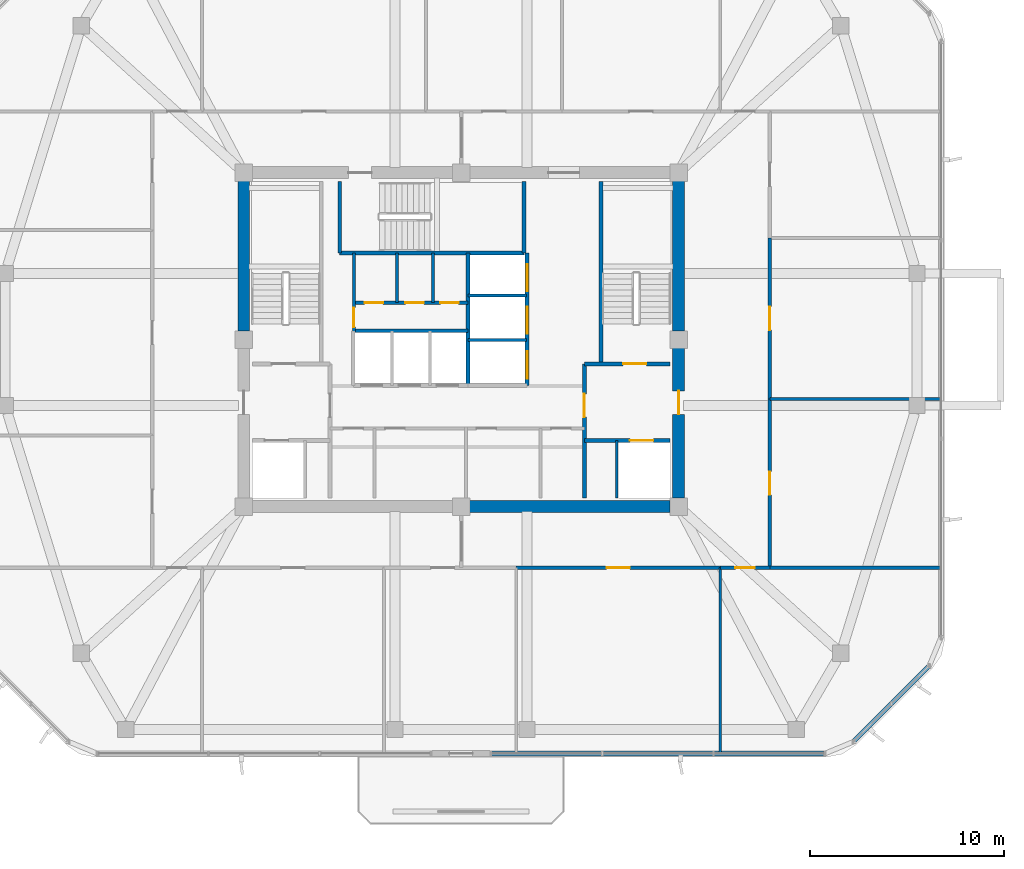
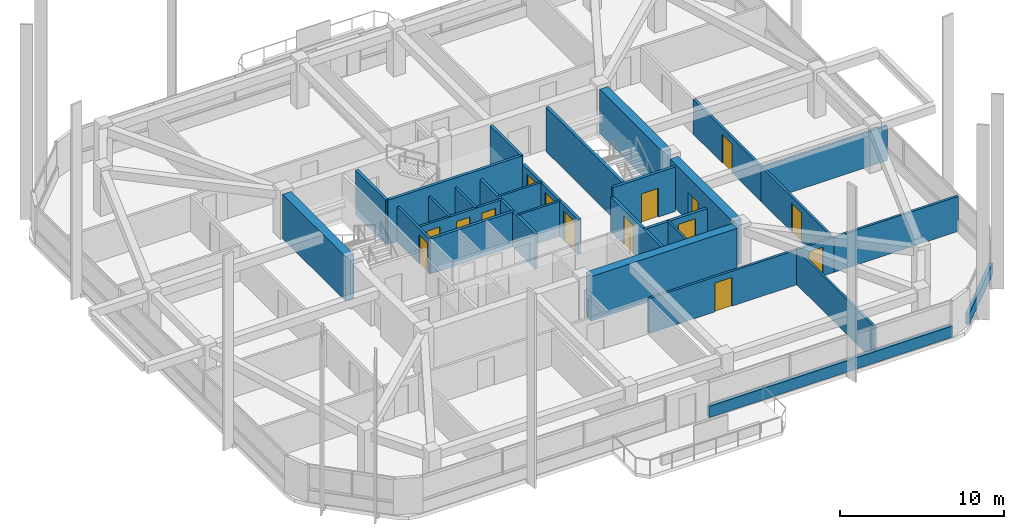
# One storey, part 8 of 13: 30 walls, 15 doors, 15 openings.
"""IFC4 building model written with IfcOpenShell, lengths in metres."""

import ifcopenshell
import ifcopenshell.guid

model = None  # the IFC model being written
_history = None  # IfcOwnerHistory: only IFC2X3 demands one
_inside = {}  # id of a spatial element -> (the spatial element, [elements in it])
_under = {}  # id of a project, library or spatial element -> (it, [spatial elements below it])
_declared = {}  # id of a project -> (the project, [libraries it declares])
_typed = {}  # id of a type object -> (the type object, [elements of that type])
_made_of = {}  # id of a material, layer set ... -> (it, [elements and type objects made of it])


def new_model(schema):
    """Start an empty IFC model of exactly this schema.

    Asked for "IFC4X3", IfcOpenShell would pick the latest addendum, in which some entities
    have other attributes; the version numbers below select the first issue.
    IFC2X3 requires an IfcOwnerHistory on every rooted entity: one is made here for all.
    """
    global model, _history
    if schema == "IFC4X3":
        model = ifcopenshell.file(schema_version=(4, 3, 0, 0))
    else:
        model = ifcopenshell.file(schema=schema)
    _inside.clear()
    _under.clear()
    _declared.clear()
    _typed.clear()
    _made_of.clear()
    _history = None
    if model.schema == "IFC2X3":
        org = make("IfcOrganization", Name="unknown")
        user = make(
            "IfcPersonAndOrganization",
            ThePerson=make("IfcPerson", FamilyName="unknown"),
            TheOrganization=org,
        )
        app = make(
            "IfcApplication",
            ApplicationDeveloper=org,
            Version="unknown",
            ApplicationFullName="unknown",
            ApplicationIdentifier="unknown",
        )
        _history = make(
            "IfcOwnerHistory",
            OwningUser=user,
            OwningApplication=app,
            ChangeAction="ADDED",
            CreationDate=0,
        )
    return model


def make(cls, **values):
    """One entity of the class cls with the attributes given. An attribute that is None is left unset."""
    return model.create_entity(
        cls, **{name: value for name, value in values.items() if value is not None}
    )


def rooted(cls, **values):
    """An entity with a GlobalId (a new one), such as an element, a storey or a relation."""
    return make(cls, GlobalId=ifcopenshell.guid.new(), OwnerHistory=_history, **values)


def si_unit(unit_type, name, prefix=None):
    """IfcSIUnit, for example si_unit("LENGTHUNIT", "METRE", prefix="MILLI")."""
    return make("IfcSIUnit", UnitType=unit_type, Prefix=prefix, Name=name)


def derived_unit(unit_type, elements):
    """IfcDerivedUnit: a product of units, each with its exponent."""
    return make(
        "IfcDerivedUnit",
        Elements=[
            make("IfcDerivedUnitElement", Unit=unit, Exponent=power)
            for unit, power in elements
        ],
        UnitType=unit_type,
    )


def assignment(units):
    """IfcUnitAssignment: the units of a project."""
    return None if units is None else make("IfcUnitAssignment", Units=units)


def point(xyz):
    """IfcCartesianPoint."""
    return None if xyz is None else make("IfcCartesianPoint", Coordinates=xyz)


def direction(xyz):
    """IfcDirection."""
    return None if xyz is None else make("IfcDirection", DirectionRatios=xyz)


def frame(location, z_axis=None, x_axis=None):
    """IfcAxis2Placement3D, a coordinate frame: its origin and axes. An axis left out is left unset."""
    return make(
        "IfcAxis2Placement3D",
        Location=point(location),
        Axis=direction(z_axis),
        RefDirection=direction(x_axis),
    )


def frame_2d(location, x_axis=None):
    """IfcAxis2Placement2D, a coordinate frame in the plane: its origin and x axis."""
    return make(
        "IfcAxis2Placement2D", Location=point(location), RefDirection=direction(x_axis)
    )


def origin():
    """The frame at (0, 0, 0) with its axes left unset."""
    return frame((0.0, 0.0, 0.0))


def place(relative_to, where):
    """IfcLocalPlacement: puts the frame where relative to a parent placement (None: the world)."""
    return make(
        "IfcLocalPlacement", PlacementRelTo=relative_to, RelativePlacement=where
    )


def context(
    kind, dimensions, precision=None, world=None, true_north=None, identifier=None
):
    """IfcGeometricRepresentationContext, for example the 3D "Model" context."""
    return make(
        "IfcGeometricRepresentationContext",
        ContextIdentifier=identifier,
        ContextType=kind,
        CoordinateSpaceDimension=dimensions,
        Precision=precision,
        WorldCoordinateSystem=world,
        TrueNorth=true_north,
    )


def subcontext(parent, identifier, kind, view, scale=None):
    """IfcGeometricRepresentationSubContext, for example "Body" below "Model"."""
    return make(
        "IfcGeometricRepresentationSubContext",
        ContextIdentifier=identifier,
        ContextType=kind,
        ParentContext=parent,
        TargetScale=scale,
        TargetView=view,
    )


def project(units=None, contexts=None):
    """IfcProject with its units and contexts."""
    return rooted(
        "IfcProject",
        Name="project",
        RepresentationContexts=contexts,
        UnitsInContext=assignment(units),
    )


def spatial(cls, under=None, at=None, **own):
    """A site, building, storey or space (cls), placed at a placement, below another one or the project."""
    s = rooted(cls, ObjectPlacement=at, **own)
    if under is not None:
        _under.setdefault(under.id(), (under, []))[1].append(s)
    return s


def profile(cls, at=None, kind="AREA", **sizes):
    """A parametric profile (cls). Its sizes go by their IFC names, for example OverallWidth=200.0."""
    return make(cls, ProfileType=kind, Position=at, **sizes)


def rectangle(**sizes):
    """IfcRectangleProfileDef."""
    return profile("IfcRectangleProfileDef", **sizes)


def extrude(swept, where, along, depth):
    """IfcExtrudedAreaSolid: the profile swept, set in the frame where, extruded along a direction by depth."""
    return make(
        "IfcExtrudedAreaSolid",
        SweptArea=swept,
        Position=where,
        ExtrudedDirection=direction(along),
        Depth=depth,
    )


def shape(context_of_items, identifier, shape_type, items):
    """IfcShapeRepresentation: the items that make up one representation, for example the "Body"."""
    return make(
        "IfcShapeRepresentation",
        ContextOfItems=context_of_items,
        RepresentationIdentifier=identifier,
        RepresentationType=shape_type,
        Items=items,
    )


def material(Name=None, Category=None):
    """IfcMaterial."""
    return make("IfcMaterial", Name=Name, Category=Category)


def layer(
    of_material, thickness, ventilated=None, Name=None, Category=None, Priority=None
):
    """IfcMaterialLayer: one layer of a wall or slab, of a material (None: an air gap)."""
    return make(
        "IfcMaterialLayer",
        Material=of_material,
        LayerThickness=thickness,
        IsVentilated=ventilated,
        Name=Name,
        Category=Category,
        Priority=Priority,
    )


def layer_set(layers, Name=None):
    """IfcMaterialLayerSet."""
    return make("IfcMaterialLayerSet", MaterialLayers=layers, LayerSetName=Name)


def made_of(thing, what):
    """Note that an element or type object is made of a material, layer set ...; save() writes the relation."""
    if what is not None:
        _made_of.setdefault(what.id(), (what, []))[1].append(thing)
    return thing


def type_object(cls, material=None, **own):
    """A type object (cls), such as IfcWallType, which elements share."""
    return made_of(rooted(cls, **own), material)


def element(
    cls,
    number,
    at=None,
    inside=None,
    cuts=None,
    type_object=None,
    material=None,
    context=None,
    identifier="Body",
    shape_type=None,
    held_by="IfcProductDefinitionShape",
    body=None,
    shapes=None,
    **own,
):
    """One element of the class cls, such as IfcWall. Its Tag is "e" and its number.

    at: its placement. inside: the storey or other place that contains it. cuts: it is an
    opening in that element (IfcRelVoidsElement). A single representation is given by context,
    identifier, shape_type and body (its items); several are given by shapes. held_by: the class
    of the entity that holds the representations. save() writes the other relations.
    """
    e = rooted(cls, Tag="e%d" % number, ObjectPlacement=at, **own)
    if body is not None:
        shapes = [shape(context, identifier, shape_type, body)]
    if shapes is not None:
        e.Representation = make(held_by, Representations=shapes)
    if inside is not None:
        _inside.setdefault(inside.id(), (inside, []))[1].append(e)
    if cuts is not None:
        rooted(
            "IfcRelVoidsElement", RelatingBuildingElement=cuts, RelatedOpeningElement=e
        )
    if type_object is not None:
        _typed.setdefault(type_object.id(), (type_object, []))[1].append(e)
    return made_of(e, material)


def fill(opening, filler):
    """IfcRelFillsElement: the door or window that sits in an opening."""
    return rooted(
        "IfcRelFillsElement",
        RelatingOpeningElement=opening,
        RelatedBuildingElement=filler,
    )


def aggregate(whole, parts):
    """IfcRelAggregates: a whole, such as a stair, and the parts it consists of."""
    return rooted("IfcRelAggregates", RelatingObject=whole, RelatedObjects=parts)


def save(model, path):
    """Write the relations noted so far, then the file.

    IfcRelAggregates (storeys below a building ...), IfcRelContainedInSpatialStructure (elements
    in a storey), IfcRelDefinesByType, IfcRelAssociatesMaterial and IfcRelDeclares: one each for
    every whole, place, type object, material and project.
    """
    for whole, parts in _under.values():
        aggregate(whole, parts)
    for where, things in _inside.values():
        rooted(
            "IfcRelContainedInSpatialStructure",
            RelatedElements=things,
            RelatingStructure=where,
        )
    for kind, things in _typed.values():
        rooted("IfcRelDefinesByType", RelatedObjects=things, RelatingType=kind)
    for what, things in _made_of.values():
        rooted("IfcRelAssociatesMaterial", RelatedObjects=things, RelatingMaterial=what)
    for by, libraries in _declared.values():
        rooted("IfcRelDeclares", RelatingContext=by, RelatedDefinitions=libraries)
    model.write(path)


model = new_model("IFC4")

# Units and contexts
model_context = context("Model", 3, precision=1e-05, world=origin(), true_north=direction((0.0, 1.0)))
body_context = subcontext(model_context, "Body", "Model", "MODEL_VIEW")
ifc_project = project(units=[si_unit("LENGTHUNIT", "METRE"), si_unit("AREAUNIT", "SQUARE_METRE"), si_unit("VOLUMEUNIT", "CUBIC_METRE"), si_unit("PLANEANGLEUNIT", "RADIAN"), si_unit("MASSUNIT", "GRAM", prefix="KILO"), derived_unit("THERMALTRANSMITTANCEUNIT", [(si_unit("POWERUNIT", "WATT"), 1), (si_unit("LENGTHUNIT", "METRE"), -2), (si_unit("THERMODYNAMICTEMPERATUREUNIT", "KELVIN"), -1)])], contexts=[model_context])

# Site, building, storey
site_placement = place(None, origin())
site = spatial("IfcSite", under=ifc_project, at=site_placement, CompositionType="ELEMENT")
building_placement = place(site_placement, origin())
building = spatial("IfcBuilding", under=site, at=building_placement, Name="Koralith Skygarden Medical Center", CompositionType="ELEMENT")
storey_placement = place(building_placement, frame((0.0, 0.0, 253.6201171875)))
storey = spatial("IfcBuildingStorey", under=building, at=storey_placement, Name="L65", CompositionType="ELEMENT", Elevation=253.6201171875)

# Walls
ifc_material_1 = material(Name="Gypsum Board Partition")
ifc_layer_1 = layer(ifc_material_1, 0.14990234375)
ifc_layer_set_1 = layer_set([ifc_layer_1], Name="Gypsum Board Partition")
wall_type_1 = type_object("IfcWallType", Name="Clinical Acoustic Partition 150", PredefinedType="PARTITIONING", material=ifc_layer_set_1)
for number, where, z_axis, x_axis, name in (
    (1, (33.699951171875, 27.800048828125, 0.0), (0.0, 0.0, 1.0), (0.0, 1.0, 0.0), "L65 Clinical Acoustic Partition 150 W-CORE-L65-FLEX-V2A"),
    (2, (35.56005859375, 27.800048828125, 0.0), (0.0, 0.0, 1.0), (0.0, 1.0, 0.0), "L65 Clinical Acoustic Partition 150 W-CORE-L65-FLEX-V2B"),
):
    element("IfcWall", number, at=place(storey_placement, frame(where, z_axis=z_axis, x_axis=x_axis)), inside=storey, type_object=wall_type_1, Name=name, PredefinedType="PARTITIONING", context=body_context, shape_type="SweptSolid", body=[
        extrude(rectangle(XDim=2.56005859375, YDim=0.14990234375, at=frame_2d((1.280029296875, 0.0))), origin(), (0.0, 0.0, 1.0), 2.60986328125),
    ])
wall_1_placement = place(storey_placement, frame((50.35009765625, 14.14990234375, 0.0), z_axis=(0.0, 0.0, 1.0), x_axis=(0.0, -1.0, 0.0)))
element("IfcWall", 3, at=wall_1_placement, inside=storey, type_object=wall_type_1, Name="L65 Clinical Acoustic Partition 150 W-PART-L65-S-04", PredefinedType="PARTITIONING", context=body_context, shape_type="SweptSolid", body=[
    extrude(rectangle(XDim=9.5498046875, YDim=0.14990234375, at=frame_2d((4.77490234375, 0.0))), origin(), (0.0, 0.0, 1.0), 2.60986328125),
])
wall_2_placement = place(storey_placement, frame((52.89990234375, 22.844970703125, 0.0), z_axis=(0.0, 0.0, 1.0), x_axis=(1.0, 0.0, 0.0)))
element("IfcWall", 4, at=wall_2_placement, inside=storey, type_object=wall_type_1, Name="L65 Clinical Acoustic Partition 150 W-PART-L65-E-01", PredefinedType="PARTITIONING", context=body_context, shape_type="SweptSolid", body=[
    extrude(rectangle(XDim=8.800048828125, YDim=0.14990234375, at=frame_2d((4.39990234375, 0.0))), origin(), (0.0, 0.0, 1.0), 2.60986328125),
])
ifc_layer_2 = layer(ifc_material_1, 0.1650390625)
ifc_layer_set_2 = layer_set([ifc_layer_2], Name="Gypsum Board Partition")
wall_type_2 = type_object("IfcWallType", Name="Clinical Corridor Partition 165", PredefinedType="PARTITIONING", material=ifc_layer_set_2)
wall_3_placement = place(storey_placement, frame((52.89990234375, 14.14990234375, 0.0), z_axis=(0.0, 0.0, 1.0), x_axis=(1.0, 0.0, 0.0)))
element("IfcWall", 5, at=wall_3_placement, inside=storey, type_object=wall_type_2, Name="L65 Clinical Corridor Partition 165 W-WB-L65-SE", PredefinedType="PARTITIONING", context=body_context, shape_type="SweptSolid", body=[
    extrude(rectangle(XDim=8.800048828125, YDim=0.1650390625, at=frame_2d((4.39990234375, 0.0))), origin(), (0.0, 0.0, 1.0), 2.60986328125),
])

# Wall, opening, door
wall_4_placement = place(storey_placement, frame((39.842041015625, 14.14990234375, 0.0), z_axis=(0.0, 0.0, 1.0), x_axis=(1.0, 0.0, 0.0)))
wall_4 = element("IfcWall", 6, at=wall_4_placement, inside=storey, type_object=wall_type_2, Name="L65 Clinical Corridor Partition 165 W-CORR-L65-S-04", PredefinedType="PARTITIONING", context=body_context, shape_type="SweptSolid", body=[
    extrude(rectangle(XDim=10.508056640625, YDim=0.1650390625, at=frame_2d((5.25390625, 0.0))), origin(), (0.0, 0.0, 1.0), 2.60986328125),
])
opening_1_placement = place(wall_4_placement, frame((4.654052734375, 0.0, 0.0)))
opening_1 = element("IfcOpeningElement", 7, at=opening_1_placement, cuts=wall_4, Name="Opening D-CLN", PredefinedType="OPENING", context=body_context, shape_type="SweptSolid", body=[
    extrude(rectangle(XDim=1.199951171875, YDim=2.14990234375, at=frame_2d((0.60009765625, 1.074951171875))), frame((0.0, 0.092529296875, 0.0), z_axis=(0.0, -1.0, 0.0), x_axis=(1.0, 0.0, 0.0)), (0.0, 0.0, 1.0), 0.18505859375),
])
ifc_material_2 = material(Name="Aluminium 6063-T6", Category="aluminium")
door_type_1 = type_object("IfcDoorType", Name="Clinical Corridor Door D-CLN 1200", OperationType="NOTDEFINED", PredefinedType="DOOR", material=ifc_material_2)
door_1_placement = place(opening_1_placement, frame((1.199951171875, 0.0, 0.0), z_axis=(0.0, 0.0, 1.0), x_axis=(-1.0, 0.0, 0.0)))
door_1 = element("IfcDoor", 8, at=door_1_placement, inside=storey, type_object=door_type_1, Name="L65 Vestibular Testing Exam Room 09 Door", OperationType="SINGLE_SWING_RIGHT", OverallHeight=2.14990234375, OverallWidth=1.199951171875, PredefinedType="DOOR", context=body_context, shape_type="SweptSolid", body=[
    extrude(rectangle(XDim=1.199951171875, YDim=2.14990234375, at=frame_2d((0.60009765625, 1.074951171875))), frame((0.0, 0.02490234375, 0.0), z_axis=(0.0, -1.0, 0.0), x_axis=(1.0, 0.0, 0.0)), (0.0, 0.0, 1.0), 0.050048828125),
])
fill(opening_1, door_1)

wall_5_placement = place(storey_placement, frame((50.35009765625, 14.14990234375, 0.0), z_axis=(0.0, 0.0, 1.0), x_axis=(1.0, 0.0, 0.0)))
wall_5 = element("IfcWall", 9, at=wall_5_placement, inside=storey, type_object=wall_type_2, Name="L65 Clinical Corridor Partition 165 W-CORR-L65-S-05", PredefinedType="PARTITIONING", context=body_context, shape_type="SweptSolid", body=[
    extrude(rectangle(XDim=2.5498046875, YDim=0.1650390625, at=frame_2d((1.27490234375, 0.0))), origin(), (0.0, 0.0, 1.0), 2.60986328125),
])
opening_2_placement = place(wall_5_placement, frame((0.77490234375, 0.0, 0.0)))
opening_2 = element("IfcOpeningElement", 10, at=opening_2_placement, cuts=wall_5, Name="Opening D-SUP", PredefinedType="OPENING", context=body_context, shape_type="SweptSolid", body=[
    extrude(rectangle(XDim=1.0, YDim=2.14990234375, at=frame_2d((0.5, 1.074951171875))), frame((0.0, 0.092529296875, 0.0), z_axis=(0.0, -1.0, 0.0), x_axis=(1.0, 0.0, 0.0)), (0.0, 0.0, 1.0), 0.18505859375),
])
door_type_2 = type_object("IfcDoorType", Name="Clinical Support Door D-SUP 1000", OperationType="NOTDEFINED", PredefinedType="DOOR", material=ifc_material_2)
door_2_placement = place(opening_2_placement, frame((1.0, 0.0, 0.0), z_axis=(0.0, 0.0, 1.0), x_axis=(-1.0, 0.0, 0.0)))
door_2 = element("IfcDoor", 11, at=door_2_placement, inside=storey, type_object=door_type_2, Name="L65 Clinical Consultation Office 10 Door", OperationType="SINGLE_SWING_LEFT", OverallHeight=2.14990234375, OverallWidth=1.0, PredefinedType="DOOR", context=body_context, shape_type="SweptSolid", body=[
    extrude(rectangle(XDim=1.0, YDim=2.14990234375, at=frame_2d((0.5, 1.074951171875))), frame((0.0, 0.02490234375, 0.0), z_axis=(0.0, -1.0, 0.0), x_axis=(1.0, 0.0, 0.0)), (0.0, 0.0, 1.0), 0.050048828125),
])
fill(opening_2, door_2)

wall_6_placement = place(storey_placement, frame((52.89990234375, 14.14990234375, 0.0), z_axis=(0.0, 0.0, 1.0), x_axis=(0.0, 1.0, 0.0)))
wall_6 = element("IfcWall", 12, at=wall_6_placement, inside=storey, type_object=wall_type_2, Name="L65 Clinical Corridor Partition 165 W-CORR-L65-E-01", PredefinedType="PARTITIONING", context=body_context, shape_type="SweptSolid", body=[
    extrude(rectangle(XDim=8.695068359375, YDim=0.1650390625, at=frame_2d((4.34765625, 0.0))), origin(), (0.0, 0.0, 1.0), 2.60986328125),
])
opening_3_placement = place(wall_6_placement, frame((3.7470703125, 0.0, 0.0)))
opening_3 = element("IfcOpeningElement", 13, at=opening_3_placement, cuts=wall_6, Name="Opening D-CLN", PredefinedType="OPENING", context=body_context, shape_type="SweptSolid", body=[
    extrude(rectangle(XDim=1.199951171875, YDim=2.14990234375, at=frame_2d((0.60009765625, 1.074951171875))), frame((0.0, 0.092529296875, 0.0), z_axis=(0.0, -1.0, 0.0), x_axis=(1.0, 0.0, 0.0)), (0.0, 0.0, 1.0), 0.18505859375),
])
door_3_placement = place(opening_3_placement, origin())
door_3 = element("IfcDoor", 14, at=door_3_placement, inside=storey, type_object=door_type_1, Name="L65 Clinical Consultation Office 14 Door", OperationType="SINGLE_SWING_LEFT", OverallHeight=2.14990234375, OverallWidth=1.199951171875, PredefinedType="DOOR", context=body_context, shape_type="SweptSolid", body=[
    extrude(rectangle(XDim=1.199951171875, YDim=2.14990234375, at=frame_2d((0.60009765625, 1.074951171875))), frame((0.0, 0.02490234375, 0.0), z_axis=(0.0, -1.0, 0.0), x_axis=(1.0, 0.0, 0.0)), (0.0, 0.0, 1.0), 0.050048828125),
])
fill(opening_3, door_3)

wall_7_placement = place(storey_placement, frame((52.89990234375, 22.844970703125, 0.0), z_axis=(0.0, 0.0, 1.0), x_axis=(0.0, 1.0, 0.0)))
wall_7 = element("IfcWall", 15, at=wall_7_placement, inside=storey, type_object=wall_type_2, Name="L65 Clinical Corridor Partition 165 W-CORR-L65-E-02", PredefinedType="PARTITIONING", context=body_context, shape_type="SweptSolid", body=[
    extrude(rectangle(XDim=8.291015625, YDim=0.1650390625, at=frame_2d((4.1455078125, 0.0))), origin(), (0.0, 0.0, 1.0), 2.60986328125),
])
opening_4_placement = place(wall_7_placement, frame((3.5458984375, 0.0, 0.0)))
opening_4 = element("IfcOpeningElement", 16, at=opening_4_placement, cuts=wall_7, Name="Opening D-CLN", PredefinedType="OPENING", context=body_context, shape_type="SweptSolid", body=[
    extrude(rectangle(XDim=1.199951171875, YDim=2.14990234375, at=frame_2d((0.60009765625, 1.074951171875))), frame((0.0, 0.092529296875, 0.0), z_axis=(0.0, -1.0, 0.0), x_axis=(1.0, 0.0, 0.0)), (0.0, 0.0, 1.0), 0.18505859375),
])
door_4_placement = place(opening_4_placement, origin())
door_4 = element("IfcDoor", 17, at=door_4_placement, inside=storey, type_object=door_type_1, Name="L65 Otolaryngology Audiology Exam Room 15 Door", OperationType="SINGLE_SWING_RIGHT", OverallHeight=2.14990234375, OverallWidth=1.199951171875, PredefinedType="DOOR", context=body_context, shape_type="SweptSolid", body=[
    extrude(rectangle(XDim=1.199951171875, YDim=2.14990234375, at=frame_2d((0.60009765625, 1.074951171875))), frame((0.0, 0.02490234375, 0.0), z_axis=(0.0, -1.0, 0.0), x_axis=(1.0, 0.0, 0.0)), (0.0, 0.0, 1.0), 0.050048828125),
])
fill(opening_4, door_4)

ifc_layer_3 = layer(ifc_material_1, 0.199951171875)
ifc_layer_set_3 = layer_set([ifc_layer_3], Name="Gypsum Board Partition")
wall_type_3 = type_object("IfcWallType", Name="Fire Shaft Wall 200", PredefinedType="SOLIDWALL", material=ifc_layer_set_3)
wall_8_placement = place(storey_placement, frame((43.35009765625, 20.699951171875, 0.0), z_axis=(0.0, 0.0, 1.0), x_axis=(1.0, 0.0, 0.0)))
wall_8 = element("IfcWall", 18, at=wall_8_placement, inside=storey, type_object=wall_type_3, Name="L65 Fire Shaft Wall 200 W-CORE-L65-FF2-N", PredefinedType="SOLIDWALL", context=body_context, shape_type="SweptSolid", body=[
    extrude(rectangle(XDim=4.39990234375, YDim=0.199951171875, at=frame_2d((2.199951171875, 0.0))), origin(), (0.0, 0.0, 1.0), 2.60986328125),
])
opening_5_placement = place(wall_8_placement, frame((2.35009765625, 0.0, 0.0)))
opening_5 = element("IfcOpeningElement", 19, at=opening_5_placement, cuts=wall_8, Name="Opening LD-FF", PredefinedType="OPENING", context=body_context, shape_type="SweptSolid", body=[
    extrude(rectangle(XDim=1.199951171875, YDim=2.14990234375, at=frame_2d((0.60009765625, 1.074951171875))), frame((0.0, 0.10986328125, 0.0), z_axis=(0.0, -1.0, 0.0), x_axis=(1.0, 0.0, 0.0)), (0.0, 0.0, 1.0), 0.219970703125),
])
ifc_material_3 = material(Name="Steel ASTM A500 Grade C", Category="steel")
door_type_3 = type_object("IfcDoorType", Name="Fire Lift Sliding Landing Door LD-FF 1200", OperationType="NOTDEFINED", PredefinedType="DOOR", material=ifc_material_3)
door_5_placement = place(opening_5_placement, origin())
door_5 = element("IfcDoor", 20, at=door_5_placement, inside=storey, type_object=door_type_3, Name="L65 Fire Service Elevator FF2 Landing Door", OperationType="SLIDING_TO_RIGHT", OverallHeight=2.14990234375, OverallWidth=1.199951171875, PredefinedType="DOOR", context=body_context, shape_type="SweptSolid", body=[
    extrude(rectangle(XDim=1.199951171875, YDim=2.14990234375, at=frame_2d((0.60009765625, 1.074951171875))), frame((0.0, 0.02490234375, 0.0), z_axis=(0.0, -1.0, 0.0), x_axis=(1.0, 0.0, 0.0)), (0.0, 0.0, 1.0), 0.050048828125),
])
fill(opening_5, door_5)

wall_9_placement = place(storey_placement, frame((43.35009765625, 17.75, 0.0), z_axis=(0.0, 0.0, 1.0), x_axis=(0.0, 1.0, 0.0)))
wall_9 = element("IfcWall", 21, at=wall_9_placement, inside=storey, type_object=wall_type_3, Name="L65 Fire Shaft Wall 200 W-CORE-L65-FSAEE-W", PredefinedType="SOLIDWALL", context=body_context, shape_type="SweptSolid", body=[
    extrude(rectangle(XDim=6.89990234375, YDim=0.199951171875, at=frame_2d((3.449951171875, 0.0))), origin(), (0.0, 0.0, 1.0), 2.60986328125),
])
opening_6_placement = place(wall_9_placement, frame((4.14990234375, 0.0, 0.0)))
opening_6 = element("IfcOpeningElement", 22, at=opening_6_placement, cuts=wall_9, Name="Opening D-ST60", PredefinedType="OPENING", context=body_context, shape_type="SweptSolid", body=[
    extrude(rectangle(XDim=1.199951171875, YDim=2.14990234375, at=frame_2d((0.60009765625, 1.074951171875))), frame((0.0, 0.10986328125, 0.0), z_axis=(0.0, -1.0, 0.0), x_axis=(1.0, 0.0, 0.0)), (0.0, 0.0, 1.0), 0.219970703125),
])
door_type_4 = type_object("IfcDoorType", Name="Smokeproof Stair Fire Door FD60S 1200", OperationType="NOTDEFINED", PredefinedType="DOOR", material=ifc_material_3)
door_6_placement = place(opening_6_placement, frame((1.199951171875, 0.0, 0.0), z_axis=(0.0, 0.0, 1.0), x_axis=(-1.0, 0.0, 0.0)))
door_6 = element("IfcDoor", 23, at=door_6_placement, inside=storey, type_object=door_type_4, Name="L65 East Firefighting Lobby Inner Fire Door", OperationType="SINGLE_SWING_RIGHT", OverallHeight=2.14990234375, OverallWidth=1.199951171875, PredefinedType="DOOR", context=body_context, shape_type="SweptSolid", body=[
    extrude(rectangle(XDim=1.199951171875, YDim=2.14990234375, at=frame_2d((0.60009765625, 1.074951171875))), frame((0.0, 0.02490234375, 0.0), z_axis=(0.0, -1.0, 0.0), x_axis=(1.0, 0.0, 0.0)), (0.0, 0.0, 1.0), 0.050048828125),
])
fill(opening_6, door_6)

# Walls
wall_10_placement = place(storey_placement, frame((31.449951171875, 26.35009765625, 0.0), z_axis=(0.0, 0.0, 1.0), x_axis=(1.0, 0.0, 0.0)))
element("IfcWall", 24, at=wall_10_placement, inside=storey, type_object=wall_type_3, Name="L65 Fire Shaft Wall 200 W-CORE-L65-PH-N", PredefinedType="SOLIDWALL", context=body_context, shape_type="SweptSolid", body=[
    extrude(rectangle(XDim=5.900146484375, YDim=0.199951171875, at=frame_2d((2.9501953125, 0.0))), origin(), (0.0, 0.0, 1.0), 2.60986328125),
])
wall_11_placement = place(storey_placement, frame((37.35009765625, 23.5400390625, 0.0), z_axis=(0.0, 0.0, 1.0), x_axis=(0.0, 1.0, 0.0)))
element("IfcWall", 25, at=wall_11_placement, inside=storey, type_object=wall_type_3, Name="L65 Fire Shaft Wall 200 W-CORE-L65-SV-W", PredefinedType="SOLIDWALL", context=body_context, shape_type="SweptSolid", body=[
    extrude(rectangle(XDim=6.820068359375, YDim=0.199951171875, at=frame_2d((3.41015625, 0.0))), origin(), (0.0, 0.0, 1.0), 2.60986328125),
])

# Wall, openings, doors
wall_12_placement = place(storey_placement, frame((40.39990234375, 23.5400390625, 0.0), z_axis=(0.0, 0.0, 1.0), x_axis=(0.0, 1.0, 0.0)))
wall_12 = element("IfcWall", 26, at=wall_12_placement, inside=storey, type_object=wall_type_3, Name="L65 Fire Shaft Wall 200 W-CORE-L65-SV-E", PredefinedType="SOLIDWALL", context=body_context, shape_type="SweptSolid", body=[
    extrude(rectangle(XDim=6.820068359375, YDim=0.199951171875, at=frame_2d((3.41015625, 0.0))), origin(), (0.0, 0.0, 1.0), 2.60986328125),
])
opening_7_placement = place(wall_12_placement, frame((0.35009765625, 0.0, 0.0)))
opening_7 = element("IfcOpeningElement", 27, at=opening_7_placement, cuts=wall_12, Name="Opening LD-SV", PredefinedType="OPENING", context=body_context, shape_type="SweptSolid", body=[
    extrude(rectangle(XDim=1.39990234375, YDim=2.199951171875, at=frame_2d((0.699951171875, 1.10009765625))), frame((0.0, 0.10986328125, 0.0), z_axis=(0.0, -1.0, 0.0), x_axis=(1.0, 0.0, 0.0)), (0.0, 0.0, 1.0), 0.219970703125),
])
opening_8_placement = place(wall_12_placement, frame((2.64990234375, 0.0, 0.0)))
opening_8 = element("IfcOpeningElement", 28, at=opening_8_placement, cuts=wall_12, Name="Opening LD-SV", PredefinedType="OPENING", context=body_context, shape_type="SweptSolid", body=[
    extrude(rectangle(XDim=1.39990234375, YDim=2.199951171875, at=frame_2d((0.699951171875, 1.10009765625))), frame((0.0, 0.10986328125, 0.0), z_axis=(0.0, -1.0, 0.0), x_axis=(1.0, 0.0, 0.0)), (0.0, 0.0, 1.0), 0.219970703125),
])
opening_9_placement = place(wall_12_placement, frame((4.85009765625, 0.0, 0.0)))
opening_9 = element("IfcOpeningElement", 29, at=opening_9_placement, cuts=wall_12, Name="Opening LD-SV", PredefinedType="OPENING", context=body_context, shape_type="SweptSolid", body=[
    extrude(rectangle(XDim=1.39990234375, YDim=2.199951171875, at=frame_2d((0.699951171875, 1.10009765625))), frame((0.0, 0.10986328125, 0.0), z_axis=(0.0, -1.0, 0.0), x_axis=(1.0, 0.0, 0.0)), (0.0, 0.0, 1.0), 0.219970703125),
])
door_type_5 = type_object("IfcDoorType", Name="Bed Lift Sliding Landing Door LD-SV 1400", OperationType="NOTDEFINED", PredefinedType="DOOR", material=ifc_material_3)
door_7_placement = place(opening_7_placement, origin())
door_7 = element("IfcDoor", 30, at=door_7_placement, inside=storey, type_object=door_type_5, Name="L65 Bed Elevator BD1 Landing Door", OperationType="SLIDING_TO_LEFT", OverallHeight=2.199951171875, OverallWidth=1.39990234375, PredefinedType="DOOR", context=body_context, shape_type="SweptSolid", body=[
    extrude(rectangle(XDim=1.39990234375, YDim=2.199951171875, at=frame_2d((0.699951171875, 1.10009765625))), frame((0.0, 0.02490234375, 0.0), z_axis=(0.0, -1.0, 0.0), x_axis=(1.0, 0.0, 0.0)), (0.0, 0.0, 1.0), 0.050048828125),
])
fill(opening_7, door_7)
door_8_placement = place(opening_8_placement, origin())
door_8 = element("IfcDoor", 31, at=door_8_placement, inside=storey, type_object=door_type_5, Name="L65 Service Elevator BD2 Landing Door", OperationType="SLIDING_TO_LEFT", OverallHeight=2.199951171875, OverallWidth=1.39990234375, PredefinedType="DOOR", context=body_context, shape_type="SweptSolid", body=[
    extrude(rectangle(XDim=1.39990234375, YDim=2.199951171875, at=frame_2d((0.699951171875, 1.10009765625))), frame((0.0, 0.02490234375, 0.0), z_axis=(0.0, -1.0, 0.0), x_axis=(1.0, 0.0, 0.0)), (0.0, 0.0, 1.0), 0.050048828125),
])
fill(opening_8, door_8)
door_9_placement = place(opening_9_placement, origin())
door_9 = element("IfcDoor", 32, at=door_9_placement, inside=storey, type_object=door_type_5, Name="L65 Trauma Elevator TR1 Landing Door", OperationType="SLIDING_TO_RIGHT", OverallHeight=2.199951171875, OverallWidth=1.39990234375, PredefinedType="DOOR", context=body_context, shape_type="SweptSolid", body=[
    extrude(rectangle(XDim=1.39990234375, YDim=2.199951171875, at=frame_2d((0.699951171875, 1.10009765625))), frame((0.0, 0.02490234375, 0.0), z_axis=(0.0, -1.0, 0.0), x_axis=(1.0, 0.0, 0.0)), (0.0, 0.0, 1.0), 0.050048828125),
])
fill(opening_9, door_9)

# Walls
ifc_material_4 = material(Name="Warm Oolitic Limestone Cladding", Category="masonry")
ifc_layer_4 = layer(ifc_material_4, 0.239990234375)
ifc_layer_set_4 = layer_set([ifc_layer_4], Name="Warm Oolitic Limestone Cladding")
wall_type_4 = type_object("IfcWallType", Name="Limestone Spandrel Sill Backup Wall 240", PredefinedType="SOLIDWALL", material=ifc_layer_set_4)
wall_13_placement = place(storey_placement, frame((38.5390625, 4.580078125, 0.0), z_axis=(0.0, 0.0, 1.0), x_axis=(1.0, 0.0, 0.0)))
element("IfcWall", 33, at=wall_13_placement, inside=storey, type_object=wall_type_4, Name="L65 Sill Spandrel S-R", PredefinedType="SOLIDWALL", context=body_context, shape_type="SweptSolid", body=[
    extrude(rectangle(XDim=17.2060546875, YDim=0.239990234375, at=frame_2d((8.60302734375, 0.0))), origin(), (0.0, 0.0, 1.0), 0.849853515625),
])
wall_14_placement = place(storey_placement, frame((57.196044921875, 5.180908203125, 0.0), z_axis=(0.0, 0.0, 1.0), x_axis=(0.707084777957, 0.707128783731, 0.0)))
element("IfcWall", 34, at=wall_14_placement, inside=storey, type_object=wall_type_4, Name="L65 Sill Spandrel SE", PredefinedType="SOLIDWALL", context=body_context, shape_type="SweptSolid", body=[
    extrude(rectangle(XDim=5.5478515625, YDim=0.239990234375, at=frame_2d((2.77392578125, 0.0))), origin(), (0.0, 0.0, 1.0), 0.849853515625),
])

# Wall, opening, door
ifc_layer_5 = layer(ifc_material_1, 0.1650390625)
ifc_layer_set_5 = layer_set([ifc_layer_5], Name="Gypsum Board Partition")
wall_type_5 = type_object("IfcWallType", Name="Plumbing Wet Wall 165", PredefinedType="PLUMBINGWALL", material=ifc_layer_set_5)
wall_15_placement = place(storey_placement, frame((31.47998046875, 26.320068359375, 0.0), z_axis=(0.0, 0.0, 1.0), x_axis=(0.0, 1.0, 0.0)))
wall_15 = element("IfcWall", 35, at=wall_15_placement, inside=storey, type_object=wall_type_5, Name="L65 Plumbing Wet Wall 165 W-CORE-L65-FLEX-W", PredefinedType="PLUMBINGWALL", context=body_context, shape_type="SweptSolid", body=[
    extrude(rectangle(XDim=4.0400390625, YDim=0.1650390625, at=frame_2d((2.02001953125, 0.0))), origin(), (0.0, 0.0, 1.0), 2.60986328125),
])
opening_10_placement = place(wall_15_placement, frame((0.219970703125, 0.0, 0.0)))
opening_10 = element("IfcOpeningElement", 36, at=opening_10_placement, cuts=wall_15, Name="Opening D-SUP", PredefinedType="OPENING", context=body_context, shape_type="SweptSolid", body=[
    extrude(rectangle(XDim=1.0, YDim=2.14990234375, at=frame_2d((0.5, 1.074951171875))), frame((0.0, 0.092529296875, 0.0), z_axis=(0.0, -1.0, 0.0), x_axis=(1.0, 0.0, 0.0)), (0.0, 0.0, 1.0), 0.18505859375),
])
door_10_placement = place(opening_10_placement, frame((1.0, 0.0, 0.0), z_axis=(0.0, 0.0, 1.0), x_axis=(-1.0, 0.0, 0.0)))
door_10 = element("IfcDoor", 37, at=door_10_placement, inside=storey, type_object=door_type_2, Name="L65 Core Service Alcove Door", OperationType="SINGLE_SWING_LEFT", OverallHeight=2.14990234375, OverallWidth=1.0, PredefinedType="DOOR", context=body_context, shape_type="SweptSolid", body=[
    extrude(rectangle(XDim=1.0, YDim=2.14990234375, at=frame_2d((0.5, 1.074951171875))), frame((0.0, 0.02490234375, 0.0), z_axis=(0.0, -1.0, 0.0), x_axis=(1.0, 0.0, 0.0)), (0.0, 0.0, 1.0), 0.050048828125),
])
fill(opening_10, door_10)

# Wall, openings, doors
wall_16_placement = place(storey_placement, frame((31.47998046875, 27.800048828125, 0.0), z_axis=(0.0, 0.0, 1.0), x_axis=(1.0, 0.0, 0.0)))
wall_16 = element("IfcWall", 38, at=wall_16_placement, inside=storey, type_object=wall_type_5, Name="L65 Plumbing Wet Wall 165 W-CORE-L65-FLEX-H2", PredefinedType="PLUMBINGWALL", context=body_context, shape_type="SweptSolid", body=[
    extrude(rectangle(XDim=5.8701171875, YDim=0.1650390625, at=frame_2d((2.93505859375, 0.0))), origin(), (0.0, 0.0, 1.0), 2.60986328125),
])
opening_11_placement = place(wall_16_placement, frame((0.550048828125, 0.0, 0.0)))
opening_11 = element("IfcOpeningElement", 39, at=opening_11_placement, cuts=wall_16, Name="Opening D-WC", PredefinedType="OPENING", context=body_context, shape_type="SweptSolid", body=[
    extrude(rectangle(XDim=0.949951171875, YDim=2.10009765625, at=frame_2d((0.47509765625, 1.050048828125))), frame((0.0, 0.092529296875, 0.0), z_axis=(0.0, -1.0, 0.0), x_axis=(1.0, 0.0, 0.0)), (0.0, 0.0, 1.0), 0.18505859375),
])
opening_12_placement = place(wall_16_placement, frame((2.64990234375, 0.0, 0.0)))
opening_12 = element("IfcOpeningElement", 40, at=opening_12_placement, cuts=wall_16, Name="Opening D-WC", PredefinedType="OPENING", context=body_context, shape_type="SweptSolid", body=[
    extrude(rectangle(XDim=0.949951171875, YDim=2.10009765625, at=frame_2d((0.47509765625, 1.050048828125))), frame((0.0, 0.092529296875, 0.0), z_axis=(0.0, -1.0, 0.0), x_axis=(1.0, 0.0, 0.0)), (0.0, 0.0, 1.0), 0.18505859375),
])
opening_13_placement = place(wall_16_placement, frame((4.449951171875, 0.0, 0.0)))
opening_13 = element("IfcOpeningElement", 41, at=opening_13_placement, cuts=wall_16, Name="Opening D-WC", PredefinedType="OPENING", context=body_context, shape_type="SweptSolid", body=[
    extrude(rectangle(XDim=0.949951171875, YDim=2.10009765625, at=frame_2d((0.47509765625, 1.050048828125))), frame((0.0, 0.092529296875, 0.0), z_axis=(0.0, -1.0, 0.0), x_axis=(1.0, 0.0, 0.0)), (0.0, 0.0, 1.0), 0.18505859375),
])
door_type_6 = type_object("IfcDoorType", Name="Accessible Toilet Door D-WC 950", OperationType="NOTDEFINED", PredefinedType="DOOR", material=ifc_material_2)
door_11_placement = place(opening_11_placement, origin())
door_11 = element("IfcDoor", 42, at=door_11_placement, inside=storey, type_object=door_type_6, Name="L65 Core Accessible WC Door", OperationType="SINGLE_SWING_LEFT", OverallHeight=2.10009765625, OverallWidth=0.949951171875, PredefinedType="DOOR", context=body_context, shape_type="SweptSolid", body=[
    extrude(rectangle(XDim=0.949951171875, YDim=2.10009765625, at=frame_2d((0.47509765625, 1.050048828125))), frame((0.0, 0.02490234375, 0.0), z_axis=(0.0, -1.0, 0.0), x_axis=(1.0, 0.0, 0.0)), (0.0, 0.0, 1.0), 0.050048828125),
])
fill(opening_11, door_11)
door_12_placement = place(opening_12_placement, origin())
door_12 = element("IfcDoor", 43, at=door_12_placement, inside=storey, type_object=door_type_6, Name="L65 Soiled Sluice Door", OperationType="SINGLE_SWING_LEFT", OverallHeight=2.10009765625, OverallWidth=0.949951171875, PredefinedType="DOOR", context=body_context, shape_type="SweptSolid", body=[
    extrude(rectangle(XDim=0.949951171875, YDim=2.10009765625, at=frame_2d((0.47509765625, 1.050048828125))), frame((0.0, 0.02490234375, 0.0), z_axis=(0.0, -1.0, 0.0), x_axis=(1.0, 0.0, 0.0)), (0.0, 0.0, 1.0), 0.050048828125),
])
fill(opening_12, door_12)
door_13_placement = place(opening_13_placement, origin())
door_13 = element("IfcDoor", 44, at=door_13_placement, inside=storey, type_object=door_type_6, Name="L65 Clean Linen Store Door", OperationType="SINGLE_SWING_RIGHT", OverallHeight=2.10009765625, OverallWidth=0.949951171875, PredefinedType="DOOR", context=body_context, shape_type="SweptSolid", body=[
    extrude(rectangle(XDim=0.949951171875, YDim=2.10009765625, at=frame_2d((0.47509765625, 1.050048828125))), frame((0.0, 0.02490234375, 0.0), z_axis=(0.0, -1.0, 0.0), x_axis=(1.0, 0.0, 0.0)), (0.0, 0.0, 1.0), 0.050048828125),
])
fill(opening_13, door_13)

# Walls
ifc_layer_6 = layer(ifc_material_1, 0.14990234375)
ifc_layer_set_6 = layer_set([ifc_layer_6], Name="Gypsum Board Partition")
wall_type_6 = type_object("IfcWallType", Name="Shaft Partition Wall 150", PredefinedType="PARTITIONING", material=ifc_layer_set_6)
wall_17_placement = place(storey_placement, frame((45.02001953125, 17.75, 0.0), z_axis=(0.0, 0.0, 1.0), x_axis=(0.0, 1.0, 0.0)))
element("IfcWall", 45, at=wall_17_placement, inside=storey, type_object=wall_type_6, Name="L65 Shaft Partition Wall 150 W-CORE-L65-RSRE-DIV", PredefinedType="PARTITIONING", context=body_context, shape_type="SweptSolid", body=[
    extrude(rectangle(XDim=2.949951171875, YDim=0.14990234375, at=frame_2d((1.47509765625, 0.0))), origin(), (0.0, 0.0, 1.0), 2.60986328125),
])
for number, where, z_axis, x_axis, name in (
    (46, (37.3701171875, 25.8701171875, 0.0), (0.0, 0.0, 1.0), (1.0, 0.0, 0.0), "L65 Shaft Partition Wall 150 W-CORE-L65-SV-D1"),
    (47, (37.3701171875, 28.169921875, 0.0), (0.0, 0.0, 1.0), (1.0, 0.0, 0.0), "L65 Shaft Partition Wall 150 W-CORE-L65-SV-D2"),
):
    element("IfcWall", number, at=place(storey_placement, frame(where, z_axis=z_axis, x_axis=x_axis)), inside=storey, type_object=wall_type_6, Name=name, PredefinedType="PARTITIONING", context=body_context, shape_type="SweptSolid", body=[
        extrude(rectangle(XDim=3.009765625, YDim=0.14990234375, at=frame_2d((1.5048828125, 0.0))), origin(), (0.0, 0.0, 1.0), 2.60986328125),
    ])
ifc_material_5 = material(Name="Concrete C45/55", Category="concrete")
ifc_layer_7 = layer(ifc_material_5, 0.199951171875)
ifc_layer_set_7 = layer_set([ifc_layer_7], Name="Concrete C45/55")
wall_type_7 = type_object("IfcWallType", Name="Structural Stair Shaft Wall 200", PredefinedType="SHEAR", material=ifc_layer_set_7)
wall_18_placement = place(storey_placement, frame((44.199951171875, 24.64990234375, 0.0), z_axis=(0.0, 0.0, 1.0), x_axis=(0.0, 1.0, 0.0)))
element("IfcWall", 48, at=wall_18_placement, inside=storey, type_object=wall_type_7, Name="L65 Structural Stair Shaft Wall 200 W-CORE-L65-ST2-W", PredefinedType="SHEAR", context=body_context, shape_type="SweptSolid", body=[
    extrude(rectangle(XDim=9.400146484375, YDim=0.199951171875, at=frame_2d((4.7001953125, 0.0))), origin(), (0.0, 0.0, 1.0), 3.31982421875),
])

# Wall, opening, door
wall_19_placement = place(storey_placement, frame((43.35009765625, 24.64990234375, 0.0), z_axis=(0.0, 0.0, 1.0), x_axis=(1.0, 0.0, 0.0)))
wall_19 = element("IfcWall", 49, at=wall_19_placement, inside=storey, type_object=wall_type_7, Name="L65 Structural Stair Shaft Wall 200 W-CORE-L65-ST2-S", PredefinedType="SHEAR", context=body_context, shape_type="SweptSolid", body=[
    extrude(rectangle(XDim=4.39990234375, YDim=0.199951171875, at=frame_2d((2.199951171875, 0.0))), origin(), (0.0, 0.0, 1.0), 3.31982421875),
])
opening_14_placement = place(wall_19_placement, frame((2.0, 0.0, 0.0)))
opening_14 = element("IfcOpeningElement", 50, at=opening_14_placement, cuts=wall_19, Name="Opening D-ST60", PredefinedType="OPENING", context=body_context, shape_type="SweptSolid", body=[
    extrude(rectangle(XDim=1.199951171875, YDim=2.14990234375, at=frame_2d((0.60009765625, 1.074951171875))), frame((0.0, 0.10986328125, 0.0), z_axis=(0.0, -1.0, 0.0), x_axis=(1.0, 0.0, 0.0)), (0.0, 0.0, 1.0), 0.219970703125),
])
door_14_placement = place(opening_14_placement, origin())
door_14 = element("IfcDoor", 51, at=door_14_placement, inside=storey, type_object=door_type_4, Name="L65 Exit Stair ST2 Fire Door", OperationType="SINGLE_SWING_RIGHT", OverallHeight=2.14990234375, OverallWidth=1.199951171875, PredefinedType="DOOR", context=body_context, shape_type="SweptSolid", body=[
    extrude(rectangle(XDim=1.199951171875, YDim=2.14990234375, at=frame_2d((0.60009765625, 1.074951171875))), frame((0.0, 0.02490234375, 0.0), z_axis=(0.0, -1.0, 0.0), x_axis=(1.0, 0.0, 0.0)), (0.0, 0.0, 1.0), 0.050048828125),
])
fill(opening_14, door_14)

# Walls
wall_20_placement = place(storey_placement, frame((30.75, 30.360107421875, 0.0), z_axis=(0.0, 0.0, 1.0), x_axis=(1.0, 0.0, 0.0)))
element("IfcWall", 52, at=wall_20_placement, inside=storey, type_object=wall_type_7, Name="L65 Structural Stair Shaft Wall 200 W-CORE-L65-ST3-S", PredefinedType="SHEAR", context=body_context, shape_type="SweptSolid", body=[
    extrude(rectangle(XDim=9.5, YDim=0.199951171875, at=frame_2d((4.75, 0.0))), origin(), (0.0, 0.0, 1.0), 3.31982421875),
])
for number, where, z_axis, x_axis, name in (
    (53, (30.75, 30.360107421875, 0.0), (0.0, 0.0, 1.0), (0.0, 1.0, 0.0), "L65 Structural Stair Shaft Wall 200 W-CORE-L65-ST3-W"),
    (54, (40.25, 30.360107421875, 0.0), (0.0, 0.0, 1.0), (0.0, 1.0, 0.0), "L65 Structural Stair Shaft Wall 200 W-CORE-L65-ST3-E"),
):
    element("IfcWall", number, at=place(storey_placement, frame(where, z_axis=z_axis, x_axis=x_axis)), inside=storey, type_object=wall_type_7, Name=name, PredefinedType="SHEAR", context=body_context, shape_type="SweptSolid", body=[
        extrude(rectangle(XDim=3.68994140625, YDim=0.199951171875, at=frame_2d((1.844970703125, 0.0))), origin(), (0.0, 0.0, 1.0), 3.31982421875),
    ])
ifc_material_6 = material(Name="Concrete C55/67", Category="concrete")
ifc_layer_8 = layer(ifc_material_6, 0.60009765625)
ifc_layer_set_8 = layer_set([ifc_layer_8], Name="Concrete C55/67")
wall_type_8 = type_object("IfcWallType", Name="Upper Core Shear Wall 600", PredefinedType="SHEAR", material=ifc_layer_set_8)
wall_21_placement = place(storey_placement, frame((37.445068359375, 17.300048828125, 0.0), z_axis=(0.0, 0.0, 1.0), x_axis=(1.0, 0.0, 0.0)))
element("IfcWall", 55, at=wall_21_placement, inside=storey, type_object=wall_type_8, Name="L65 Core Shear Wall Segment 2", PredefinedType="SHEAR", context=body_context, shape_type="SweptSolid", body=[
    extrude(rectangle(XDim=10.309814453125, YDim=0.60009765625, at=frame_2d((5.15478515625, 0.0))), origin(), (0.0, 0.0, 1.0), 3.31982421875),
])

# Wall, opening, door
wall_22_placement = place(storey_placement, frame((48.199951171875, 17.7451171875, 0.0), z_axis=(0.0, 0.0, 1.0), x_axis=(0.0, 1.0, 0.0)))
wall_22 = element("IfcWall", 56, at=wall_22_placement, inside=storey, type_object=wall_type_8, Name="L65 Core Shear Wall Segment 3", PredefinedType="SHEAR", context=body_context, shape_type="SweptSolid", body=[
    extrude(rectangle(XDim=7.7099609375, YDim=0.60009765625, at=frame_2d((3.85498046875, 0.0))), origin(), (0.0, 0.0, 1.0), 3.31982421875),
])
opening_15_placement = place(wall_22_placement, frame((4.304931640625, 0.0, 0.0)))
opening_15 = element("IfcOpeningElement", 57, at=opening_15_placement, cuts=wall_22, Name="Opening D-ST60", PredefinedType="OPENING", context=body_context, shape_type="SweptSolid", body=[
    extrude(rectangle(XDim=1.199951171875, YDim=2.14990234375, at=frame_2d((0.60009765625, 1.074951171875))), frame((0.0, 0.31005859375, 0.0), z_axis=(0.0, -1.0, 0.0), x_axis=(1.0, 0.0, 0.0)), (0.0, 0.0, 1.0), 0.6201171875),
])
door_15_placement = place(opening_15_placement, frame((1.199951171875, 0.0, 0.0), z_axis=(0.0, 0.0, 1.0), x_axis=(-1.0, 0.0, 0.0)))
door_15 = element("IfcDoor", 58, at=door_15_placement, inside=storey, type_object=door_type_4, Name="L65 East Corridor to Firefighting Lobby Door", OperationType="SINGLE_SWING_RIGHT", OverallHeight=2.14990234375, OverallWidth=1.199951171875, PredefinedType="DOOR", context=body_context, shape_type="SweptSolid", body=[
    extrude(rectangle(XDim=1.199951171875, YDim=2.14990234375, at=frame_2d((0.60009765625, 1.074951171875))), frame((0.0, 0.02490234375, 0.0), z_axis=(0.0, -1.0, 0.0), x_axis=(1.0, 0.0, 0.0)), (0.0, 0.0, 1.0), 0.050048828125),
])
fill(opening_15, door_15)

# Walls
for number, where, z_axis, x_axis, name in (
    (59, (48.199951171875, 26.344970703125, 0.0), (0.0, 0.0, 1.0), (0.0, 1.0, 0.0), "L65 Core Shear Wall Segment 4"),
    (60, (25.800048828125, 34.054931640625, 0.0), (0.0, 0.0, 1.0), (0.0, -1.0, 0.0), "L65 Core Shear Wall Segment 7"),
):
    element("IfcWall", number, at=place(storey_placement, frame(where, z_axis=z_axis, x_axis=x_axis)), inside=storey, type_object=wall_type_8, Name=name, PredefinedType="SHEAR", context=body_context, shape_type="SweptSolid", body=[
        extrude(rectangle(XDim=7.7099609375, YDim=0.60009765625, at=frame_2d((3.85498046875, 0.0))), origin(), (0.0, 0.0, 1.0), 3.31982421875),
    ])

save(model, "model.ifc")
